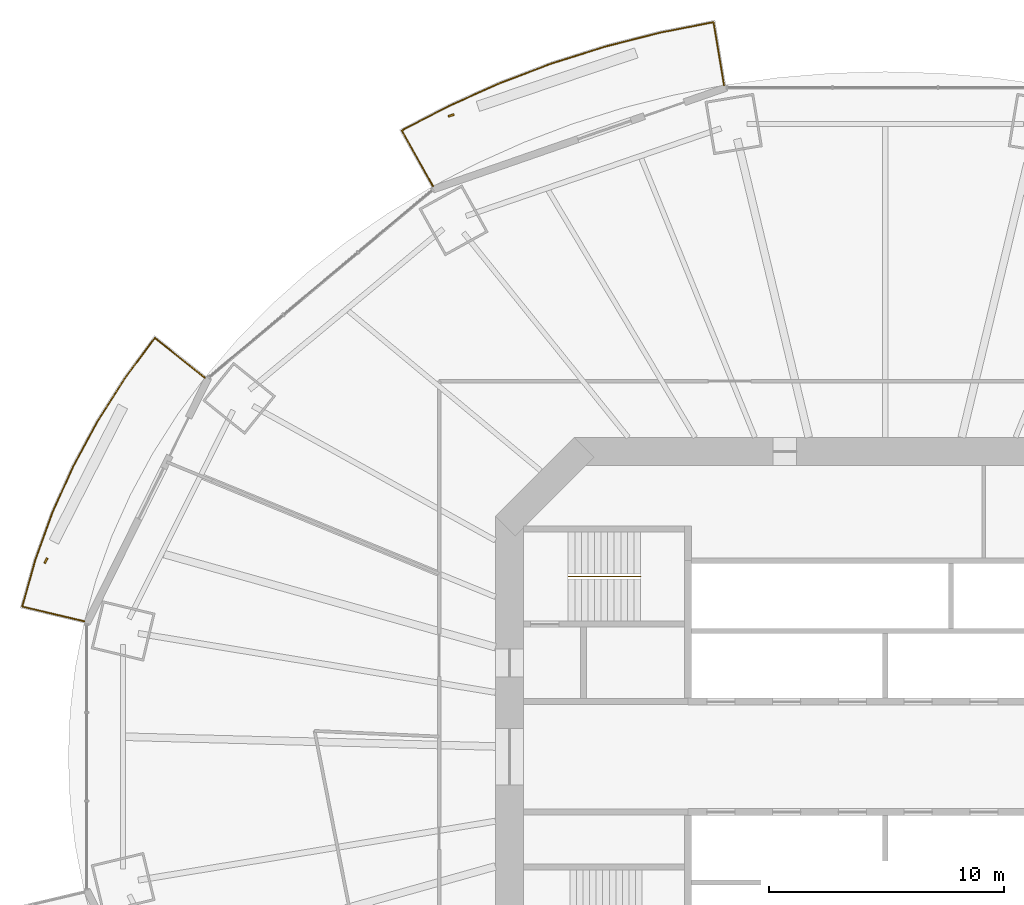
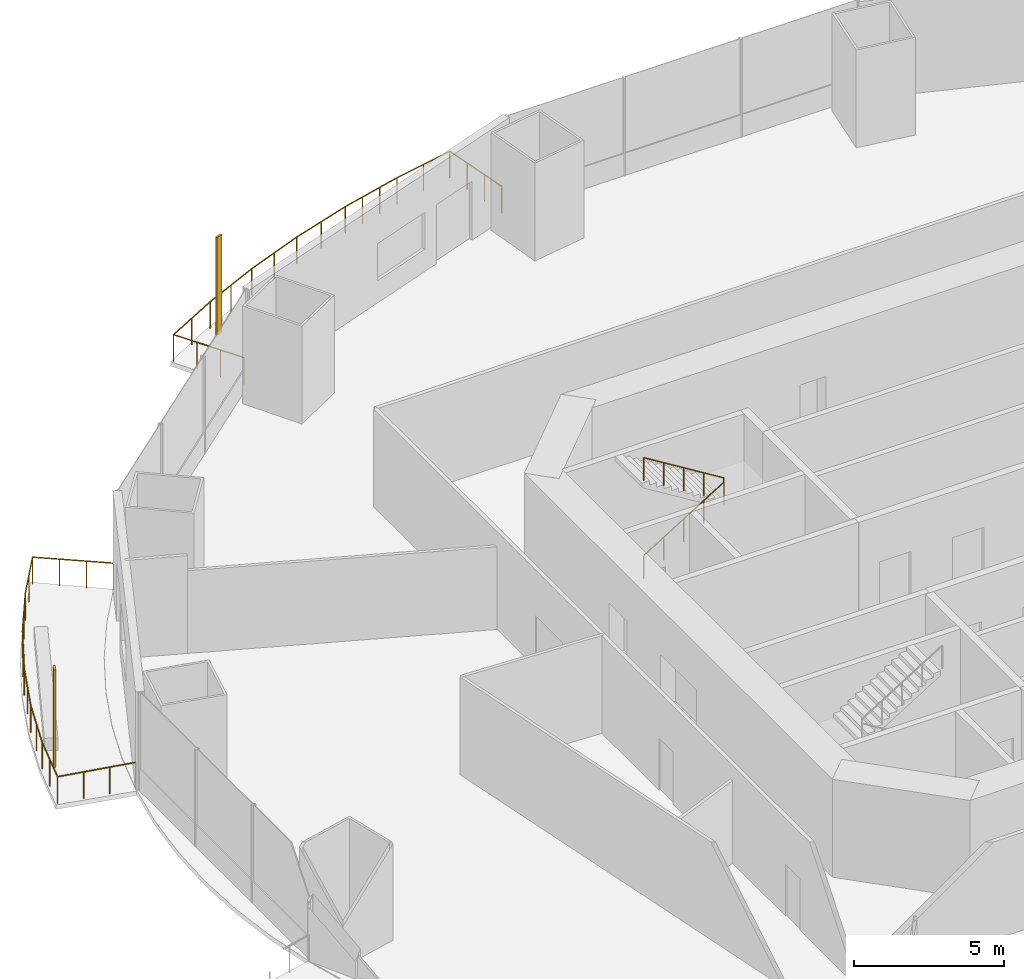
# One storey, part 19 of 22: 3 railings, 2 shading devices.
"""IFC4 building model written with IfcOpenShell, lengths in metres."""

from ifc_helpers import new_model, si_unit, direction, frame, origin, origin_2d, place, context, subcontext, project, spatial, rectangle, circle, extrude, material, material_profile, profile_set, type_object, element, save


model = new_model("IFC4")

# Units and contexts
model_context = context("Model", 3, precision=1e-05, world=origin(), true_north=direction((0.0, 1.0)))
body_context = subcontext(model_context, "Body", "Model", "MODEL_VIEW")
ifc_project = project(units=[si_unit("LENGTHUNIT", "METRE"), si_unit("AREAUNIT", "SQUARE_METRE"), si_unit("VOLUMEUNIT", "CUBIC_METRE"), si_unit("PLANEANGLEUNIT", "RADIAN"), si_unit("MASSUNIT", "GRAM", prefix="KILO")], contexts=[model_context])

# Site, building, storey
site_placement = place(None, origin())
site = spatial("IfcSite", under=ifc_project, at=site_placement, CompositionType="ELEMENT")
building_placement = place(site_placement, origin())
building = spatial("IfcBuilding", under=site, at=building_placement, Name="Marenthal Gate Tower", CompositionType="ELEMENT")
storey_placement = place(building_placement, frame((0.0, 0.0, 103.550048828125)))
storey = spatial("IfcBuildingStorey", under=building, at=storey_placement, Name="L21", CompositionType="ELEMENT", Elevation=103.550048828125)

# Railings
ifc_material_1 = material(Name="Stainless steel", Category="steel")
railing_type_1 = type_object("IfcRailingType", Name="Balcony guard 1100", PredefinedType="GUARDRAIL", material=ifc_material_1)
railing_1_placement = place(storey_placement, frame((-19.25732421875, 24.295654296875, 0.0)))
element("IfcRailing", 1, at=railing_1_placement, inside=storey, type_object=railing_type_1, Name="Balcony guard L21 bay 5", PredefinedType="GUARDRAIL", context=body_context, shape_type="SweptSolid", body=[
    extrude(circle(Radius=0.02392578125, at=origin_2d()), frame((0.0, 0.0, 1.076171875), z_axis=(-0.489129707977, 0.872086857323, -0.014718765524), x_axis=(-0.872181338021, -0.489182699621, 0.0)), (0.0, 0.0, 1.0), 2.72021484375),
    extrude(circle(Radius=0.02392578125, at=origin_2d()), frame((-1.33056640625, 2.372314453125, 1.0361328125), z_axis=(0.887149676746, 0.461481799261, 0.0), x_axis=(-0.461481799261, 0.887149676746, 0.0)), (0.0, 0.0, 1.0), 2.26318359375),
    extrude(circle(Radius=0.02392578125, at=origin_2d()), frame((0.67724609375, 3.416748046875, 1.0361328125), z_axis=(0.91251864488, 0.409035111876, 0.0), x_axis=(-0.409035111876, 0.91251864488, 0.0)), (0.0, 0.0, 1.0), 2.360107421875),
    extrude(circle(Radius=0.02392578125, at=origin_2d()), frame((2.830810546875, 4.382080078125, 1.0361328125), z_axis=(0.934799959644, 0.355174654852, 0.0), x_axis=(-0.355174654852, 0.934799959644, 0.0)), (0.0, 0.0, 1.0), 2.37548828125),
    extrude(circle(Radius=0.02392578125, at=origin_2d()), frame((5.051513671875, 5.225830078125, 1.0361328125), z_axis=(0.953610460093, 0.301043336416, 0.0), x_axis=(-0.301043336416, 0.953610460093, 0.0)), (0.0, 0.0, 1.0), 2.38916015625),
    extrude(circle(Radius=0.02392578125, at=origin_2d()), frame((7.329833984375, 5.945068359375, 1.0361328125), z_axis=(0.969123243842, 0.246576840449, 0.0), x_axis=(-0.246576840449, 0.969123243842, 0.0)), (0.0, 0.0, 1.0), 2.401123046875),
    extrude(circle(Radius=0.02392578125, at=origin_2d()), frame((9.65673828125, 6.537109375, 1.0361328125), z_axis=(0.981231836587, 0.192831747562, 0.0), x_axis=(-0.192831747562, 0.981231836587, 0.0)), (0.0, 0.0, 1.0), 2.330810546875),
    extrude(circle(Radius=0.02392578125, at=origin_2d()), frame((11.94384765625, 6.986572265625, 1.0361328125), z_axis=(0.164584914213, -0.986253111889, 0.014717516865), x_axis=(0.986359943071, 0.164602742092, 0.0)), (0.0, 0.0, 1.0), 2.720458984375),
    extrude(circle(Radius=0.02099609375, at=origin_2d()), origin(), (0.0, 0.0, 1.0), 1.052001953125),
    extrude(circle(Radius=0.02099609375, at=origin_2d()), frame((-0.443603515625, 0.790771484375, -0.013427734375)), (0.0, 0.0, 1.0), 1.052001953125),
    extrude(circle(Radius=0.02099609375, at=origin_2d()), frame((-0.886962890625, 1.58154296875, -0.026611328125)), (0.0, 0.0, 1.0), 1.052001953125),
    extrude(circle(Radius=0.02099609375, at=origin_2d()), frame((-1.33056640625, 2.372314453125, -0.0400390625)), (0.0, 0.0, 1.0), 1.052001953125),
    extrude(circle(Radius=0.02099609375, at=origin_2d()), frame((-0.32666015625, 2.89453125, -0.0400390625)), (0.0, 0.0, 1.0), 1.052001953125),
    extrude(circle(Radius=0.02099609375, at=origin_2d()), frame((0.67724609375, 3.416748046875, -0.0400390625)), (0.0, 0.0, 1.0), 1.052001953125),
    extrude(circle(Radius=0.02099609375, at=origin_2d()), frame((1.75390625, 3.8994140625, -0.0400390625)), (0.0, 0.0, 1.0), 1.052001953125),
    extrude(circle(Radius=0.02099609375, at=origin_2d()), frame((2.830810546875, 4.382080078125, -0.0400390625)), (0.0, 0.0, 1.0), 1.052001953125),
    extrude(circle(Radius=0.02099609375, at=origin_2d()), frame((3.941162109375, 4.803955078125, -0.0400390625)), (0.0, 0.0, 1.0), 1.052001953125),
    extrude(circle(Radius=0.02099609375, at=origin_2d()), frame((5.051513671875, 5.225830078125, -0.0400390625)), (0.0, 0.0, 1.0), 1.052001953125),
    extrude(circle(Radius=0.02099609375, at=origin_2d()), frame((6.190673828125, 5.58544921875, -0.0400390625)), (0.0, 0.0, 1.0), 1.052001953125),
    extrude(circle(Radius=0.02099609375, at=origin_2d()), frame((7.329833984375, 5.945068359375, -0.0400390625)), (0.0, 0.0, 1.0), 1.052001953125),
    extrude(circle(Radius=0.02099609375, at=origin_2d()), frame((8.10546875, 6.142333984375, -0.0400390625)), (0.0, 0.0, 1.0), 1.052001953125),
    extrude(circle(Radius=0.02099609375, at=origin_2d()), frame((8.881103515625, 6.33984375, -0.0400390625)), (0.0, 0.0, 1.0), 1.052001953125),
    extrude(circle(Radius=0.02099609375, at=origin_2d()), frame((9.65673828125, 6.537109375, -0.0400390625)), (0.0, 0.0, 1.0), 1.052001953125),
    extrude(circle(Radius=0.02099609375, at=origin_2d()), frame((10.80029296875, 6.76171875, -0.0400390625)), (0.0, 0.0, 1.0), 1.052001953125),
    extrude(circle(Radius=0.02099609375, at=origin_2d()), frame((11.94384765625, 6.986572265625, -0.0400390625)), (0.0, 0.0, 1.0), 1.052001953125),
    extrude(circle(Radius=0.02099609375, at=origin_2d()), frame((12.093017578125, 6.09228515625, -0.026611328125)), (0.0, 0.0, 1.0), 1.052001953125),
    extrude(circle(Radius=0.02099609375, at=origin_2d()), frame((12.242431640625, 5.19775390625, -0.013427734375)), (0.0, 0.0, 1.0), 1.052001953125),
    extrude(circle(Radius=0.02099609375, at=origin_2d()), frame((12.3916015625, 4.303466796875, 0.0)), (0.0, 0.0, 1.0), 1.052001953125),
])
railing_2_placement = place(storey_placement, frame((-34.10107421875, 5.769287109375, 0.0)))
element("IfcRailing", 2, at=railing_2_placement, inside=storey, type_object=railing_type_1, Name="Balcony guard L21 bay 7", PredefinedType="GUARDRAIL", context=body_context, shape_type="SweptSolid", body=[
    extrude(circle(Radius=0.02392578125, at=origin_2d()), frame((0.0, 0.0, 1.076171875), z_axis=(-0.972946801612, 0.230559942195, -0.014718501565), x_axis=(-0.230584919848, -0.973052205557, 0.0)), (0.0, 0.0, 1.0), 2.72021484375),
    extrude(circle(Radius=0.02392578125, at=origin_2d()), frame((-2.646728515625, 0.627197265625, 1.0361328125), z_axis=(0.269277750694, 0.963062559225, 0.0), x_axis=(-0.963062559225, 0.269277750694, 0.0)), (0.0, 0.0, 1.0), 2.05712890625),
    extrude(circle(Radius=0.02392578125, at=origin_2d()), frame((-2.0927734375, 2.6083984375, 1.0361328125), z_axis=(0.340136081654, 0.940376225751, 0.0), x_axis=(-0.940376225751, 0.340136081654, 0.0)), (0.0, 0.0, 1.0), 2.1474609375),
    extrude(circle(Radius=0.02392578125, at=origin_2d()), frame((-1.3623046875, 4.6279296875, 1.0361328125), z_axis=(0.409429124113, 0.91234192731, 0.0), x_axis=(-0.91234192731, 0.409429124113, 0.0)), (0.0, 0.0, 1.0), 2.15966796875),
    extrude(circle(Radius=0.02392578125, at=origin_2d()), frame((-0.47802734375, 6.598388671875, 1.0361328125), z_axis=(0.475284522292, 0.879832156078, 0.0), x_axis=(-0.879832156078, 0.475284522292, 0.0)), (0.0, 0.0, 1.0), 2.17431640625),
    extrude(circle(Radius=0.02392578125, at=origin_2d()), frame((0.555419921875, 8.511474609375, 1.0361328125), z_axis=(0.537452327695, 0.843294133417, 0.0), x_axis=(-0.843294133417, 0.537452327695, 0.0)), (0.0, 0.0, 1.0), 2.1904296875),
    extrude(circle(Radius=0.02392578125, at=origin_2d()), frame((1.732666015625, 10.358642578125, 1.0361328125), z_axis=(0.594516836854, 0.804083161556, 0.0), x_axis=(-0.804083161556, 0.594516836854, 0.0)), (0.0, 0.0, 1.0), 2.12841796875),
    extrude(circle(Radius=0.02392578125, at=origin_2d()), frame((2.998046875, 12.070068359375, 1.0361328125), z_axis=(0.782218085053, -0.62283082954, 0.014718192514), x_axis=(0.622898300926, 0.782302822892, 0.0)), (0.0, 0.0, 1.0), 2.720458984375),
    extrude(circle(Radius=0.02099609375, at=origin_2d()), origin(), (0.0, 0.0, 1.0), 1.052001953125),
    extrude(circle(Radius=0.02099609375, at=origin_2d()), frame((-0.88232421875, 0.208984375, -0.013427734375)), (0.0, 0.0, 1.0), 1.052001953125),
    extrude(circle(Radius=0.02099609375, at=origin_2d()), frame((-1.764404296875, 0.418212890625, -0.026611328125)), (0.0, 0.0, 1.0), 1.052001953125),
    extrude(circle(Radius=0.02099609375, at=origin_2d()), frame((-2.646728515625, 0.627197265625, -0.0400390625)), (0.0, 0.0, 1.0), 1.052001953125),
    extrude(circle(Radius=0.02099609375, at=origin_2d()), frame((-2.36962890625, 1.61767578125, -0.0400390625)), (0.0, 0.0, 1.0), 1.052001953125),
    extrude(circle(Radius=0.02099609375, at=origin_2d()), frame((-2.0927734375, 2.6083984375, -0.0400390625)), (0.0, 0.0, 1.0), 1.052001953125),
    extrude(circle(Radius=0.02099609375, at=origin_2d()), frame((-1.7275390625, 3.6181640625, -0.0400390625)), (0.0, 0.0, 1.0), 1.052001953125),
    extrude(circle(Radius=0.02099609375, at=origin_2d()), frame((-1.3623046875, 4.6279296875, -0.0400390625)), (0.0, 0.0, 1.0), 1.052001953125),
    extrude(circle(Radius=0.02099609375, at=origin_2d()), frame((-0.920166015625, 5.61328125, -0.0400390625)), (0.0, 0.0, 1.0), 1.052001953125),
    extrude(circle(Radius=0.02099609375, at=origin_2d()), frame((-0.47802734375, 6.598388671875, -0.0400390625)), (0.0, 0.0, 1.0), 1.052001953125),
    extrude(circle(Radius=0.02099609375, at=origin_2d()), frame((0.03857421875, 7.554931640625, -0.0400390625)), (0.0, 0.0, 1.0), 1.052001953125),
    extrude(circle(Radius=0.02099609375, at=origin_2d()), frame((0.555419921875, 8.511474609375, -0.0400390625)), (0.0, 0.0, 1.0), 1.052001953125),
    extrude(circle(Radius=0.02099609375, at=origin_2d()), frame((1.14404296875, 9.43505859375, -0.0400390625)), (0.0, 0.0, 1.0), 1.052001953125),
    extrude(circle(Radius=0.02099609375, at=origin_2d()), frame((1.732666015625, 10.358642578125, -0.0400390625)), (0.0, 0.0, 1.0), 1.052001953125),
    extrude(circle(Radius=0.02099609375, at=origin_2d()), frame((2.365234375, 11.21435546875, -0.0400390625)), (0.0, 0.0, 1.0), 1.052001953125),
    extrude(circle(Radius=0.02099609375, at=origin_2d()), frame((2.998046875, 12.070068359375, -0.0400390625)), (0.0, 0.0, 1.0), 1.052001953125),
    extrude(circle(Radius=0.02099609375, at=origin_2d()), frame((3.707275390625, 11.50537109375, -0.026611328125)), (0.0, 0.0, 1.0), 1.052001953125),
    extrude(circle(Radius=0.02099609375, at=origin_2d()), frame((4.416748046875, 10.9404296875, -0.013427734375)), (0.0, 0.0, 1.0), 1.052001953125),
    extrude(circle(Radius=0.02099609375, at=origin_2d()), frame((5.1259765625, 10.375732421875, 0.0)), (0.0, 0.0, 1.0), 1.052001953125),
])
ifc_material_2 = material(Name="Stainless steel", Category="steel")
railing_type_2 = type_object("IfcRailingType", Name="Stair handrail", PredefinedType="HANDRAIL", material=ifc_material_2)
railing_3_placement = place(storey_placement, frame((-13.5, 7.675048828125, 0.1728515625)))
element("IfcRailing", 3, at=railing_3_placement, inside=storey, type_object=railing_type_2, Name="Handrail ST1", PredefinedType="HANDRAIL", context=body_context, shape_type="SweptSolid", body=[
    extrude(circle(Radius=0.0224609375, at=origin_2d()), frame((0.0, 0.0, 0.927490234375), z_axis=(0.850835241893, 0.0, 0.525432575268), x_axis=(0.0, 1.0, 0.0)), (0.0, 0.0, 1.0), 3.6201171875),
    extrude(circle(Radius=0.0224609375, at=origin_2d()), frame((3.080078125, 0.0, 2.82958984375), z_axis=(0.0, 0.0, 1.0), x_axis=(1.0, 0.0, 0.0)), (0.0, 0.0, 1.0), 0.1728515625),
    extrude(circle(Radius=0.0224609375, at=origin_2d()), frame((3.080078125, 0.0, 3.00244140625), z_axis=(-0.850835241893, 0.0, 0.525432575268), x_axis=(0.0, -1.0, 0.0)), (0.0, 0.0, 1.0), 3.6201171875),
    extrude(circle(Radius=0.02001953125, at=origin_2d()), origin(), (0.0, 0.0, 1.0), 0.905029296875),
    extrude(circle(Radius=0.02001953125, at=origin_2d()), frame((0.77001953125, 0.0, 0.4755859375)), (0.0, 0.0, 1.0), 0.905029296875),
    extrude(circle(Radius=0.02001953125, at=origin_2d()), frame((1.5400390625, 0.0, 0.951171875)), (0.0, 0.0, 1.0), 0.905029296875),
    extrude(circle(Radius=0.02001953125, at=origin_2d()), frame((2.31005859375, 0.0, 1.426513671875)), (0.0, 0.0, 1.0), 0.905029296875),
    extrude(circle(Radius=0.02001953125, at=origin_2d()), frame((3.080078125, 0.0, 1.902099609375)), (0.0, 0.0, 1.0), 0.905029296875),
    extrude(circle(Radius=0.02001953125, at=origin_2d()), frame((3.080078125, 0.0, 2.074951171875)), (0.0, 0.0, 1.0), 0.905029296875),
    extrude(circle(Radius=0.02001953125, at=origin_2d()), frame((2.31005859375, 0.0, 2.550537109375)), (0.0, 0.0, 1.0), 0.905029296875),
    extrude(circle(Radius=0.02001953125, at=origin_2d()), frame((1.5400390625, 0.0, 3.02587890625)), (0.0, 0.0, 1.0), 0.905029296875),
    extrude(circle(Radius=0.02001953125, at=origin_2d()), frame((0.77001953125, 0.0, 3.50146484375)), (0.0, 0.0, 1.0), 0.905029296875),
    extrude(circle(Radius=0.02001953125, at=origin_2d()), frame((0.0, 0.0, 3.97705078125)), (0.0, 0.0, 1.0), 0.905029296875),
])

# Shading devices
ifc_material_3 = material(Name="Terracotta", Category="masonry")
ifc_material_profile = material_profile(ifc_material_3, rectangle(XDim=0.25, YDim=0.080078125, at=origin_2d()), Name="Terracotta baguette 250x80")
ifc_profile_set = profile_set([ifc_material_profile], Name="Terracotta")
shading_device_type = type_object("IfcShadingDeviceType", Name="Terracotta BAGUETTE SCREEN 250x80", PredefinedType="USERDEFINED", material=ifc_profile_set)
for number, where, z_axis, x_axis, name in (
    (4, (-18.486572265625, 27.31005859375, -0.0400390625), (0.0, 0.0, 1.0), (-0.94461425051, -0.328182750512, 0.0), "Terracotta BAGUETTE L21 bay 5R"),
    (5, (-35.7412109375, 8.34765625, -0.0400390625), (0.0, 0.0, 1.0), (-0.44279047576, -0.896625113733, 0.0), "Terracotta BAGUETTE L21 bay 7R"),
):
    element("IfcShadingDevice", number, at=place(storey_placement, frame(where, z_axis=z_axis, x_axis=x_axis)), inside=storey, type_object=shading_device_type, Name=name, ObjectType="BAGUETTE SCREEN", PredefinedType="USERDEFINED", context=body_context, shape_type="SweptSolid", body=[
        extrude(rectangle(XDim=0.25, YDim=0.080078125, at=origin_2d()), origin(), (0.0, 0.0, 1.0), 3.969970703125),
    ])

save(model, "model.ifc")
